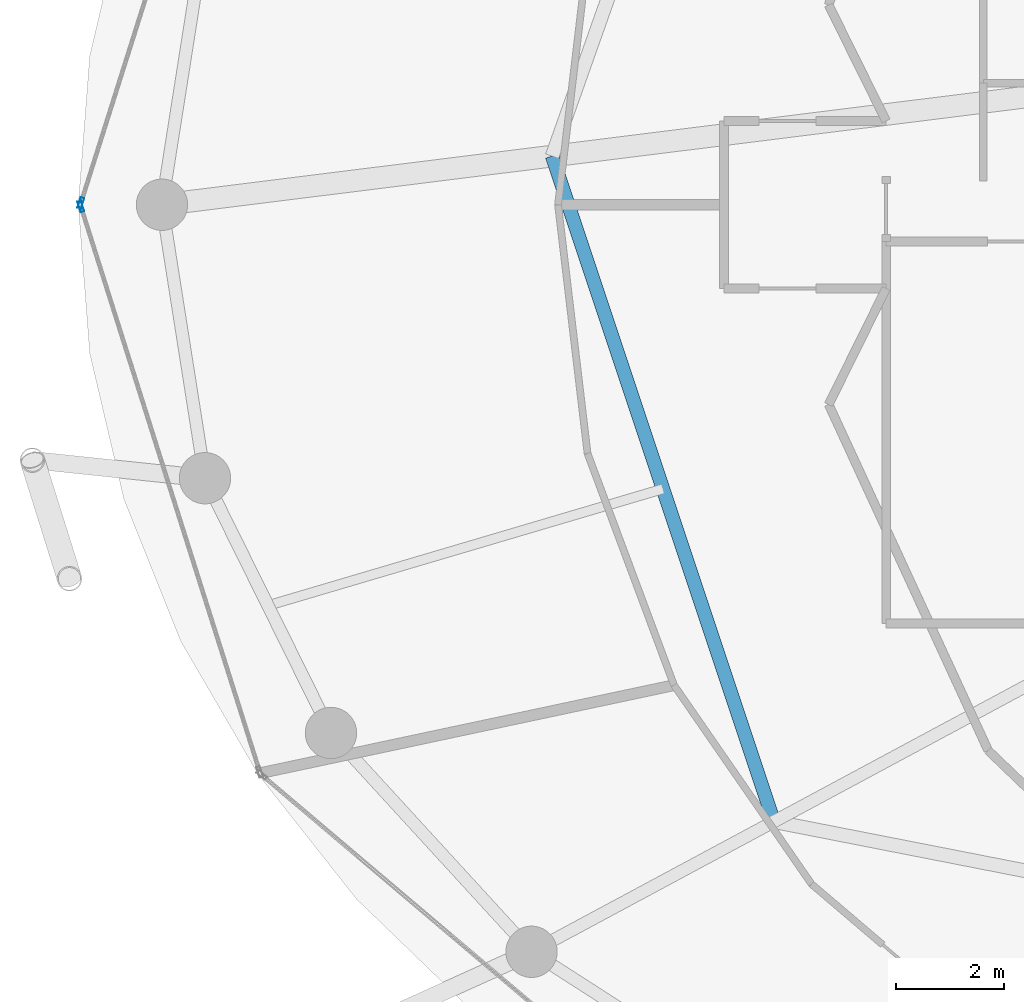
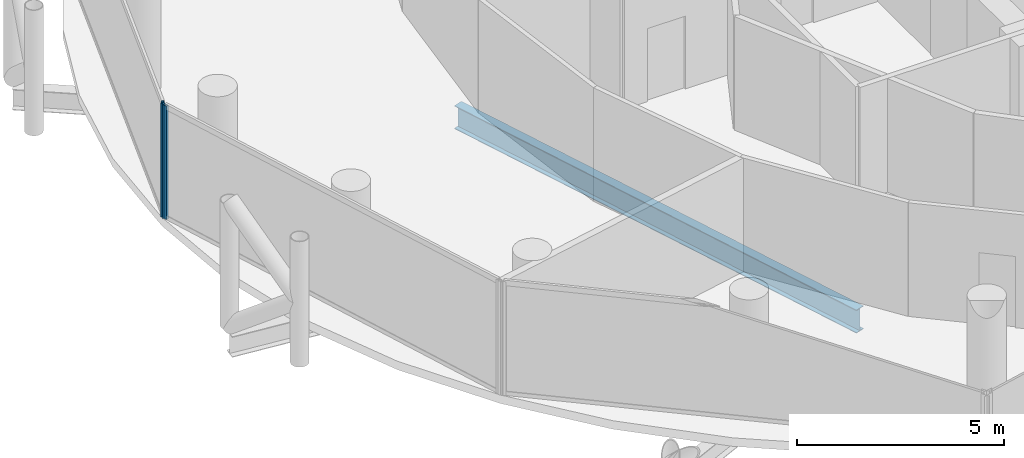
# One storey, part 6 of 26: 2 members, 1 beam, 2 elements without a shape of their own.
"""IFC4 building model written with IfcOpenShell, lengths in metres."""

from ifc_helpers import new_model, si_unit, direction, frame, origin, origin_2d, place, context, subcontext, project, spatial, hollow_rectangle, i_section, extrude, material, layer, layer_set, material_profile, profile_set, type_object, element, aggregate, save


model = new_model("IFC4")

# Units and contexts
model_context = context("Model", 3, precision=1e-05, world=origin(), true_north=direction((0.0, 1.0)))
body_context = subcontext(model_context, "Body", "Model", "MODEL_VIEW")
ifc_project = project(units=[si_unit("LENGTHUNIT", "METRE"), si_unit("AREAUNIT", "SQUARE_METRE"), si_unit("VOLUMEUNIT", "CUBIC_METRE"), si_unit("PLANEANGLEUNIT", "RADIAN"), si_unit("MASSUNIT", "GRAM", prefix="KILO")], contexts=[model_context])

# Site, building, storey
site_placement = place(None, origin())
site = spatial("IfcSite", under=ifc_project, at=site_placement, CompositionType="ELEMENT")
building_placement = place(site_placement, origin())
building = spatial("IfcBuilding", under=site, at=building_placement, Name="Nuhasar Tower", CompositionType="ELEMENT")
storey_placement = place(building_placement, frame((0.0, 0.0, 192.25)))
storey = spatial("IfcBuildingStorey", under=building, at=storey_placement, Name="L47", CompositionType="ELEMENT", Elevation=192.25)

# Beam
ifc_material_1 = material(Name="Steel S355", Category="steel")
ifc_material_profile_1 = material_profile(ifc_material_1, i_section(OverallWidth=0.25390625, OverallDepth=0.68408203125, WebThickness=0.012451171875, FlangeThickness=0.018798828125, at=origin_2d()), Name="W27X94")
ifc_profile_set_1 = profile_set([ifc_material_profile_1], Name="Steel S355")
beam_type = type_object("IfcBeamType", Name="BM-INRING-W27X94", PredefinedType="BEAM", material=ifc_profile_set_1)
beam_placement = place(storey_placement, frame((22.8701171875, 27.699951171875, -0.592041015625), z_axis=(0.31609797573, -0.948726551615, 0.0), x_axis=(0.948726551615, 0.31609797573, 0.0)))
element("IfcBeam", 1, at=beam_placement, inside=storey, type_object=beam_type, Name="L47 Inner Header Beam 08", PredefinedType="BEAM", context=body_context, shape_type="SweptSolid", body=[
    extrude(i_section(OverallWidth=0.25390625, OverallDepth=0.68408203125, WebThickness=0.012451171875, FlangeThickness=0.018798828125, at=origin_2d()), origin(), (0.0, 0.0, 1.0), 12.9794921875),
])

# Curtain wall, member
ifc_material_2 = material(Name="Aluminium 6063-T6", Category="aluminium")
ifc_layer = layer(ifc_material_2, 0.199951171875)
ifc_layer_set = layer_set([ifc_layer], Name="Aluminium 6063-T6")
curtain_wall_type = type_object("IfcCurtainWallType", Name="CW-Z2-HTL", PredefinedType="NOTDEFINED", material=ifc_layer_set)
curtain_wall_1_placement = place(storey_placement, origin())
curtain_wall_1 = element("IfcCurtainWall", 2, at=curtain_wall_1_placement, inside=storey, type_object=curtain_wall_type, Name="L47 Unitised Curtain Wall 06", PredefinedType="NOTDEFINED")
ifc_material_profile_2 = material_profile(ifc_material_2, hollow_rectangle(XDim=0.070068359375, YDim=0.199951171875, WallThickness=0.0048828125, at=origin_2d()), Name="CWM-3")
ifc_profile_set_2 = profile_set([ifc_material_profile_2], Name="Aluminium 6063-T6")
member_type = type_object("IfcMemberType", Name="CW-MUL-S3", PredefinedType="MULLION", material=ifc_profile_set_2)
member_1_placement = place(storey_placement, frame((14.150634765625, 26.833251953125, 0.0), z_axis=(0.0, 0.0, 1.0), x_axis=(0.953433389233, -0.301603667577, 0.0)))
member_1 = element("IfcMember", 3, at=member_1_placement, type_object=member_type, Name="CW-Z2 mullion 2", PredefinedType="MULLION", context=body_context, shape_type="SweptSolid", body=[
    extrude(hollow_rectangle(XDim=0.070068359375, YDim=0.199951171875, WallThickness=0.0048828125, at=origin_2d()), origin(), (0.0, 0.0, 1.0), 3.35009765625),
])
aggregate(curtain_wall_1, [member_1])

curtain_wall_2_placement = place(storey_placement, origin())
curtain_wall_2 = element("IfcCurtainWall", 4, at=curtain_wall_2_placement, inside=storey, type_object=curtain_wall_type, Name="L47 Unitised Curtain Wall 07", PredefinedType="NOTDEFINED")
member_2_placement = place(storey_placement, frame((14.150634765625, 26.7666015625, 0.0), z_axis=(0.0, 0.0, 1.0), x_axis=(0.953433389233, 0.301603667577, 0.0)))
member_2 = element("IfcMember", 5, at=member_2_placement, type_object=member_type, Name="CW-Z2 mullion 1", PredefinedType="MULLION", context=body_context, shape_type="SweptSolid", body=[
    extrude(hollow_rectangle(XDim=0.070068359375, YDim=0.199951171875, WallThickness=0.0048828125, at=origin_2d()), origin(), (0.0, 0.0, 1.0), 3.35009765625),
])
aggregate(curtain_wall_2, [member_2])

save(model, "model.ifc")
